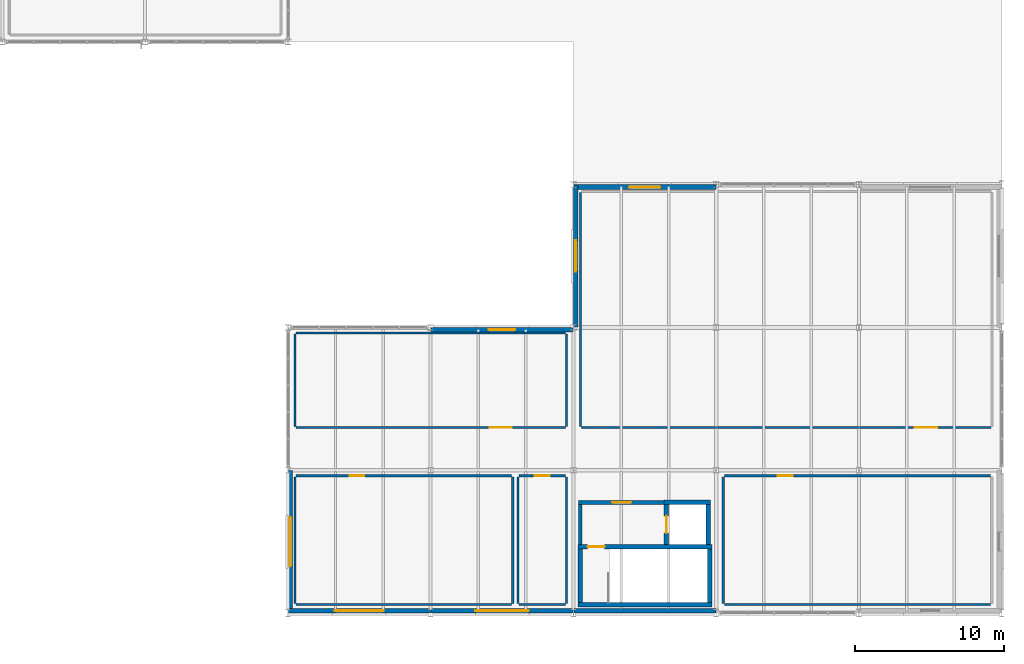
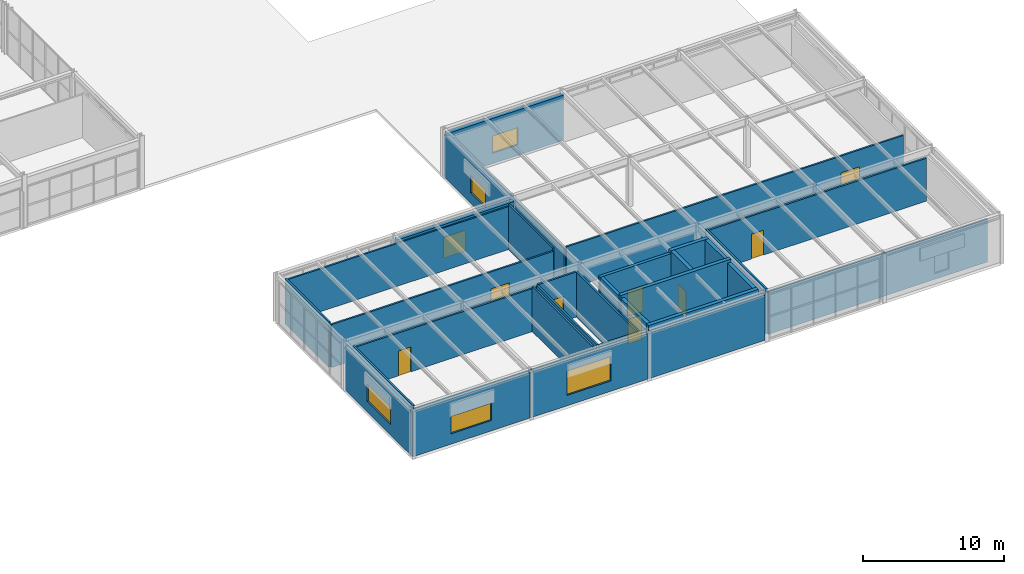
# One storey, part 155 of 170: 33 walls, 8 doors, 6 windows, 14 openings.
"""IFC4 building model written with IfcOpenShell, lengths in metres."""

from ifc_helpers import new_model, si_unit, direction, frame, frame_2d, origin, place, context, subcontext, project, spatial, rectangle, extrude, material, layer, layer_set, type_object, element, fill, save


model = new_model("IFC4")

# Units and contexts
model_context = context("Model", 3, precision=1e-05, world=origin(), true_north=direction((0.0, 1.0)))
body_context = subcontext(model_context, "Body", "Model", "MODEL_VIEW")
ifc_project = project(units=[si_unit("LENGTHUNIT", "METRE"), si_unit("AREAUNIT", "SQUARE_METRE"), si_unit("VOLUMEUNIT", "CUBIC_METRE"), si_unit("PLANEANGLEUNIT", "RADIAN"), si_unit("MASSUNIT", "GRAM", prefix="KILO")], contexts=[model_context])

# Site, building, storey
site_placement = place(None, origin())
site = spatial("IfcSite", under=ifc_project, at=site_placement, CompositionType="ELEMENT")
building_placement = place(site_placement, origin())
building = spatial("IfcBuilding", under=site, at=building_placement, Name="Coralgate Yard Interchange", CompositionType="ELEMENT")
storey_placement = place(building_placement, frame((0.0, 0.0, 6.0)))
storey = spatial("IfcBuildingStorey", under=building, at=storey_placement, Name="L01", CompositionType="ELEMENT", Elevation=6.0)

# Wall
ifc_material_1 = material(Name="Concrete C40/50", Category="concrete")
ifc_layer_1 = layer(ifc_material_1, 0.300048828125)
ifc_layer_set_1 = layer_set([ifc_layer_1], Name="Concrete C40/50")
wall_type_1 = type_object("IfcWallType", Name="WAL-CW300", PredefinedType="SHEAR", material=ifc_layer_set_1)
wall_1_placement = place(storey_placement, frame((153.89990234375, 0.570068359375, 0.0), z_axis=(0.0, 0.0, 1.0), x_axis=(1.0, 0.0, 0.0)))
element("IfcWall", 1, at=wall_1_placement, inside=storey, type_object=wall_type_1, Name="C8 L01 stair south shear wall", PredefinedType="SHEAR", context=body_context, shape_type="SweptSolid", body=[
    extrude(rectangle(XDim=9.0, YDim=0.300048828125, at=frame_2d((4.5, 0.0))), origin(), (0.0, 0.0, 1.0), 4.25),
])

# Wall, opening, door
wall_2_placement = place(storey_placement, frame((162.89990234375, 4.449951171875, 0.0), z_axis=(0.0, 0.0, 1.0), x_axis=(-1.0, 0.0, 0.0)))
wall_2 = element("IfcWall", 2, at=wall_2_placement, inside=storey, type_object=wall_type_1, Name="C8 L01 stair north shear wall", PredefinedType="SHEAR", context=body_context, shape_type="SweptSolid", body=[
    extrude(rectangle(XDim=9.0, YDim=0.300048828125, at=frame_2d((4.5, 0.0))), origin(), (0.0, 0.0, 1.0), 4.5),
])
opening_1_placement = place(wall_2_placement, frame((7.199951171875, 0.0, 0.0)))
opening_1 = element("IfcOpeningElement", 3, at=opening_1_placement, cuts=wall_2, Name="Opening FD-1B", PredefinedType="OPENING", context=body_context, shape_type="SweptSolid", body=[
    extrude(rectangle(XDim=1.14990234375, YDim=2.14990234375, at=frame_2d((0.574951171875, 1.074951171875))), frame((0.0, 0.159912109375, 0.0), z_axis=(0.0, -1.0, 0.0), x_axis=(1.0, 0.0, 0.0)), (0.0, 0.0, 1.0), 0.320068359375),
])
ifc_material_2 = material(Name="Powder-coated steel fire door assembly", Category="steel")
door_type_1 = type_object("IfcDoorType", Name="DOR-FD-1B", OperationType="NOTDEFINED", PredefinedType="DOOR", material=ifc_material_2)
door_1_placement = place(opening_1_placement, frame((1.14990234375, 0.0, 0.0), z_axis=(0.0, 0.0, 1.0), x_axis=(-1.0, 0.0, 0.0)))
door_1 = element("IfcDoor", 4, at=door_1_placement, inside=storey, type_object=door_type_1, Name="C8 L01 stair fire door", OperationType="SINGLE_SWING_LEFT", OverallHeight=2.14990234375, OverallWidth=1.14990234375, PredefinedType="DOOR", context=body_context, shape_type="SweptSolid", body=[
    extrude(rectangle(XDim=1.14990234375, YDim=2.14990234375, at=frame_2d((0.574951171875, 1.074951171875))), frame((0.0, 0.02490234375, 0.0), z_axis=(0.0, -1.0, 0.0), x_axis=(1.0, 0.0, 0.0)), (0.0, 0.0, 1.0), 0.050048828125),
])
fill(opening_1, door_1)

# Walls
for number, where, z_axis, x_axis, name in (
    (5, (154.050048828125, 0.719970703125, 0.0), (0.0, 0.0, 1.0), (0.0, 1.0, 0.0), "C8 L01 stair west shear wall"),
    (6, (162.75, 4.300048828125, 0.0), (0.0, 0.0, 1.0), (0.0, -1.0, 0.0), "C8 L01 stair east shear wall"),
):
    element("IfcWall", number, at=place(storey_placement, frame(where, z_axis=z_axis, x_axis=x_axis)), inside=storey, type_object=wall_type_1, Name=name, PredefinedType="SHEAR", context=body_context, shape_type="SweptSolid", body=[
        extrude(rectangle(XDim=3.580078125, YDim=0.300048828125, at=frame_2d((1.7900390625, 0.0))), origin(), (0.0, 0.0, 1.0), 4.25),
    ])

# Wall, opening, door
wall_3_placement = place(storey_placement, frame((159.85009765625, 7.300048828125, 0.0), z_axis=(0.0, 0.0, 1.0), x_axis=(0.0, -1.0, 0.0)))
wall_3 = element("IfcWall", 7, at=wall_3_placement, inside=storey, type_object=wall_type_1, Name="C8 L01 lift front shear wall", PredefinedType="SHEAR", context=body_context, shape_type="SweptSolid", body=[
    extrude(rectangle(XDim=2.699951171875, YDim=0.300048828125, at=frame_2d((1.35009765625, 0.0))), origin(), (0.0, 0.0, 1.0), 4.5),
])
opening_2_placement = place(wall_3_placement, frame((0.77490234375, 0.0, 0.0)))
opening_2 = element("IfcOpeningElement", 8, at=opening_2_placement, cuts=wall_3, Name="Opening LD-2", PredefinedType="OPENING", context=body_context, shape_type="SweptSolid", body=[
    extrude(rectangle(XDim=1.14990234375, YDim=2.10009765625, at=frame_2d((0.574951171875, 1.050048828125))), frame((0.0, 0.159912109375, 0.0), z_axis=(0.0, -1.0, 0.0), x_axis=(1.0, 0.0, 0.0)), (0.0, 0.0, 1.0), 0.320068359375),
])
ifc_material_3 = material(Name="Brushed stainless steel passenger lift landing door", Category="steel")
door_type_2 = type_object("IfcDoorType", Name="DOR-LD-2", OperationType="DOUBLE_DOOR_SLIDING", PredefinedType="DOOR", material=ifc_material_3)
door_2_placement = place(opening_2_placement, frame((1.14990234375, 0.0, 0.0), z_axis=(0.0, 0.0, 1.0), x_axis=(-1.0, 0.0, 0.0)))
door_2 = element("IfcDoor", 9, at=door_2_placement, inside=storey, type_object=door_type_2, Name="LF-06 L01 sliding lift landing door", OperationType="DOUBLE_DOOR_SLIDING", OverallHeight=2.10009765625, OverallWidth=1.14990234375, PredefinedType="DOOR", context=body_context, shape_type="SweptSolid", body=[
    extrude(rectangle(XDim=1.14990234375, YDim=2.10009765625, at=frame_2d((0.574951171875, 1.050048828125))), frame((0.0, 0.02490234375, 0.0), z_axis=(0.0, -1.0, 0.0), x_axis=(1.0, 0.0, 0.0)), (0.0, 0.0, 1.0), 0.050048828125),
])
fill(opening_2, door_2)

# Walls
wall_4_placement = place(storey_placement, frame((162.64990234375, 4.60009765625, 0.0), z_axis=(0.0, 0.0, 1.0), x_axis=(0.0, 1.0, 0.0)))
element("IfcWall", 10, at=wall_4_placement, inside=storey, type_object=wall_type_1, Name="C8 L01 lift rear shear wall", PredefinedType="SHEAR", context=body_context, shape_type="SweptSolid", body=[
    extrude(rectangle(XDim=2.699951171875, YDim=0.300048828125, at=frame_2d((1.35009765625, 0.0))), origin(), (0.0, 0.0, 1.0), 4.5),
])
wall_5_placement = place(storey_placement, frame((159.699951171875, 7.449951171875, 0.0), z_axis=(0.0, 0.0, 1.0), x_axis=(1.0, 0.0, 0.0)))
element("IfcWall", 11, at=wall_5_placement, inside=storey, type_object=wall_type_1, Name="C8 L01 lift north shear wall", PredefinedType="SHEAR", context=body_context, shape_type="SweptSolid", body=[
    extrude(rectangle(XDim=3.10009765625, YDim=0.300048828125, at=frame_2d((1.550048828125, 0.0))), origin(), (0.0, 0.0, 1.0), 4.5),
])

# Wall, opening, window
ifc_material_4 = material(Name="Precast concrete C40/50", Category="concrete")
ifc_layer_2 = layer(ifc_material_4, 0.320068359375)
ifc_layer_set_2 = layer_set([ifc_layer_2], Name="Precast concrete C40/50")
wall_type_2 = type_object("IfcWallType", Name="WAL-EW-320", PredefinedType="SOLIDWALL", material=ifc_layer_set_2)
wall_6_placement = place(storey_placement, frame((143.97998046875, 0.159912109375, 0.0), z_axis=(0.0, 0.0, 1.0), x_axis=(-1.0, 0.0, 0.0)))
wall_6 = element("IfcWall", 12, at=wall_6_placement, inside=storey, type_object=wall_type_2, Name="L01 exterior coastal wall S 14-0", PredefinedType="SOLIDWALL", context=body_context, shape_type="SweptSolid", body=[
    extrude(rectangle(XDim=9.56005859375, YDim=0.320068359375, at=frame_2d((4.780029296875, 0.0))), origin(), (0.0, 0.0, 1.0), 3.89990234375),
])
opening_3_placement = place(wall_6_placement, frame((3.1298828125, 0.0, 0.89990234375)))
opening_3 = element("IfcOpeningElement", 13, at=opening_3_placement, cuts=wall_6, Name="Opening W-24", PredefinedType="OPENING", context=body_context, shape_type="SweptSolid", body=[
    extrude(rectangle(XDim=3.300048828125, YDim=1.5, at=frame_2d((1.64990234375, 0.75))), frame((0.0, 0.169921875, 0.0), z_axis=(0.0, -1.0, 0.0), x_axis=(1.0, 0.0, 0.0)), (0.0, 0.0, 1.0), 0.340087890625),
])
ifc_material_5 = material(Name="Thermally broken anodised aluminium and solar-control low-E glass", Category="aluminium")
window_type_1 = type_object("IfcWindowType", Name="WIN-W-24", PartitioningType="SINGLE_PANEL", PredefinedType="WINDOW", material=ifc_material_5)
window_1_placement = place(opening_3_placement, origin())
window_1 = element("IfcWindow", 14, at=window_1_placement, inside=storey, type_object=window_type_1, Name="L01 coastal facade window S-14-0", OverallHeight=1.5, OverallWidth=3.300048828125, PartitioningType="SINGLE_PANEL", PredefinedType="WINDOW", context=body_context, shape_type="SweptSolid", body=[
    extrude(rectangle(XDim=3.300048828125, YDim=1.5, at=frame_2d((1.64990234375, 0.75))), frame((0.0, 0.030029296875, 0.0), z_axis=(0.0, -1.0, 0.0), x_axis=(1.0, 0.0, 0.0)), (0.0, 0.0, 1.0), 0.06005859375),
])
fill(opening_3, window_1)

wall_7_placement = place(storey_placement, frame((134.56005859375, 0.02001953125, 0.0), z_axis=(0.0, 0.0, 1.0), x_axis=(0.0, 1.0, 0.0)))
wall_7 = element("IfcWall", 15, at=wall_7_placement, inside=storey, type_object=wall_type_2, Name="L01 exterior coastal wall W 14-0", PredefinedType="SOLIDWALL", context=body_context, shape_type="SweptSolid", body=[
    extrude(rectangle(XDim=9.56005859375, YDim=0.320068359375, at=frame_2d((4.780029296875, 0.0))), origin(), (0.0, 0.0, 1.0), 3.716796875),
])
opening_4_placement = place(wall_7_placement, frame((3.1298828125, 0.0, 0.89990234375)))
opening_4 = element("IfcOpeningElement", 16, at=opening_4_placement, cuts=wall_7, Name="Opening W-24", PredefinedType="OPENING", context=body_context, shape_type="SweptSolid", body=[
    extrude(rectangle(XDim=3.300048828125, YDim=1.5, at=frame_2d((1.64990234375, 0.75))), frame((0.0, 0.169921875, 0.0), z_axis=(0.0, -1.0, 0.0), x_axis=(1.0, 0.0, 0.0)), (0.0, 0.0, 1.0), 0.340087890625),
])
window_2_placement = place(opening_4_placement, origin())
window_2 = element("IfcWindow", 17, at=window_2_placement, inside=storey, type_object=window_type_1, Name="L01 coastal facade window W-14-0", OverallHeight=1.5, OverallWidth=3.300048828125, PartitioningType="SINGLE_PANEL", PredefinedType="WINDOW", context=body_context, shape_type="SweptSolid", body=[
    extrude(rectangle(XDim=3.300048828125, YDim=1.5, at=frame_2d((1.64990234375, 0.75))), frame((0.0, 0.030029296875, 0.0), z_axis=(0.0, -1.0, 0.0), x_axis=(1.0, 0.0, 0.0)), (0.0, 0.0, 1.0), 0.06005859375),
])
fill(opening_4, window_2)

wall_8_placement = place(storey_placement, frame((153.580078125, 0.159912109375, 0.0), z_axis=(0.0, 0.0, 1.0), x_axis=(-1.0, 0.0, 0.0)))
wall_8 = element("IfcWall", 18, at=wall_8_placement, inside=storey, type_object=wall_type_2, Name="L01 exterior coastal wall S 15-0", PredefinedType="SOLIDWALL", context=body_context, shape_type="SweptSolid", body=[
    extrude(rectangle(XDim=9.56005859375, YDim=0.320068359375, at=frame_2d((4.780029296875, 0.0))), origin(), (0.0, 0.0, 1.0), 3.89990234375),
])
opening_5_placement = place(wall_8_placement, frame((2.97998046875, 0.0, 0.89990234375)))
opening_5 = element("IfcOpeningElement", 19, at=opening_5_placement, cuts=wall_8, Name="Opening W-03", PredefinedType="OPENING", context=body_context, shape_type="SweptSolid", body=[
    extrude(rectangle(XDim=3.60009765625, YDim=2.10009765625, at=frame_2d((1.800048828125, 1.050048828125))), frame((0.0, 0.169921875, 0.0), z_axis=(0.0, -1.0, 0.0), x_axis=(1.0, 0.0, 0.0)), (0.0, 0.0, 1.0), 0.340087890625),
])
window_type_2 = type_object("IfcWindowType", Name="WIN-W-03", PartitioningType="SINGLE_PANEL", PredefinedType="WINDOW", material=ifc_material_5)
window_3_placement = place(opening_5_placement, origin())
window_3 = element("IfcWindow", 20, at=window_3_placement, inside=storey, type_object=window_type_2, Name="L01 coastal facade window S-15-0", OverallHeight=2.10009765625, OverallWidth=3.60009765625, PartitioningType="SINGLE_PANEL", PredefinedType="WINDOW", context=body_context, shape_type="SweptSolid", body=[
    extrude(rectangle(XDim=3.60009765625, YDim=2.10009765625, at=frame_2d((1.800048828125, 1.050048828125))), frame((0.0, 0.030029296875, 0.0), z_axis=(0.0, -1.0, 0.0), x_axis=(1.0, 0.0, 0.0)), (0.0, 0.0, 1.0), 0.06005859375),
])
fill(opening_5, window_3)

wall_9_placement = place(storey_placement, frame((144.02001953125, 19.0400390625, 0.0), z_axis=(0.0, 0.0, 1.0), x_axis=(1.0, 0.0, 0.0)))
wall_9 = element("IfcWall", 21, at=wall_9_placement, inside=storey, type_object=wall_type_2, Name="L01 exterior coastal wall N 15-1", PredefinedType="SOLIDWALL", context=body_context, shape_type="SweptSolid", body=[
    extrude(rectangle(XDim=9.56005859375, YDim=0.320068359375, at=frame_2d((4.780029296875, 0.0))), origin(), (0.0, 0.0, 1.0), 3.89990234375),
])
opening_6_placement = place(wall_9_placement, frame((3.8798828125, 0.0, 0.89990234375)))
opening_6 = element("IfcOpeningElement", 22, at=opening_6_placement, cuts=wall_9, Name="Opening W-04", PredefinedType="OPENING", context=body_context, shape_type="SweptSolid", body=[
    extrude(rectangle(XDim=1.800048828125, YDim=1.800048828125, at=frame_2d((0.89990234375, 0.89990234375))), frame((0.0, 0.169921875, 0.0), z_axis=(0.0, -1.0, 0.0), x_axis=(1.0, 0.0, 0.0)), (0.0, 0.0, 1.0), 0.340087890625),
])
window_type_3 = type_object("IfcWindowType", Name="WIN-W-04", PartitioningType="SINGLE_PANEL", PredefinedType="WINDOW", material=ifc_material_5)
window_4_placement = place(opening_6_placement, origin())
window_4 = element("IfcWindow", 23, at=window_4_placement, inside=storey, type_object=window_type_3, Name="L01 coastal facade window N-15-1", OverallHeight=1.800048828125, OverallWidth=1.800048828125, PartitioningType="SINGLE_PANEL", PredefinedType="WINDOW", context=body_context, shape_type="SweptSolid", body=[
    extrude(rectangle(XDim=1.800048828125, YDim=1.800048828125, at=frame_2d((0.89990234375, 0.89990234375))), frame((0.0, 0.030029296875, 0.0), z_axis=(0.0, -1.0, 0.0), x_axis=(1.0, 0.0, 0.0)), (0.0, 0.0, 1.0), 0.06005859375),
])
fill(opening_6, window_4)

# Wall
wall_10_placement = place(storey_placement, frame((163.179931640625, 0.159912109375, 0.0), z_axis=(0.0, 0.0, 1.0), x_axis=(-1.0, 0.0, 0.0)))
element("IfcWall", 24, at=wall_10_placement, inside=storey, type_object=wall_type_2, Name="L01 exterior coastal wall S 16-0", PredefinedType="SOLIDWALL", context=body_context, shape_type="SweptSolid", body=[
    extrude(rectangle(XDim=9.559814453125, YDim=0.320068359375, at=frame_2d((4.77978515625, 0.0))), origin(), (0.0, 0.0, 1.0), 3.89990234375),
])

# Wall, opening, window
wall_11_placement = place(storey_placement, frame((153.760009765625, 19.219970703125, 0.0), z_axis=(0.0, 0.0, 1.0), x_axis=(0.0, 1.0, 0.0)))
wall_11 = element("IfcWall", 25, at=wall_11_placement, inside=storey, type_object=wall_type_2, Name="L01 exterior coastal wall W 16-2", PredefinedType="SOLIDWALL", context=body_context, shape_type="SweptSolid", body=[
    extrude(rectangle(XDim=9.56005859375, YDim=0.320068359375, at=frame_2d((4.780029296875, 0.0))), origin(), (0.0, 0.0, 1.0), 3.716796875),
])
opening_7_placement = place(wall_11_placement, frame((3.72998046875, 0.0, 0.89990234375)))
opening_7 = element("IfcOpeningElement", 26, at=opening_7_placement, cuts=wall_11, Name="Opening W-08", PredefinedType="OPENING", context=body_context, shape_type="SweptSolid", body=[
    extrude(rectangle(XDim=2.10009765625, YDim=1.5, at=frame_2d((1.050048828125, 0.75))), frame((0.0, 0.169921875, 0.0), z_axis=(0.0, -1.0, 0.0), x_axis=(1.0, 0.0, 0.0)), (0.0, 0.0, 1.0), 0.340087890625),
])
window_type_4 = type_object("IfcWindowType", Name="WIN-W-08", PartitioningType="SINGLE_PANEL", PredefinedType="WINDOW", material=ifc_material_5)
window_5_placement = place(opening_7_placement, origin())
window_5 = element("IfcWindow", 27, at=window_5_placement, inside=storey, type_object=window_type_4, Name="L01 coastal facade window W-16-2", OverallHeight=1.5, OverallWidth=2.10009765625, PartitioningType="SINGLE_PANEL", PredefinedType="WINDOW", context=body_context, shape_type="SweptSolid", body=[
    extrude(rectangle(XDim=2.10009765625, YDim=1.5, at=frame_2d((1.050048828125, 0.75))), frame((0.0, 0.030029296875, 0.0), z_axis=(0.0, -1.0, 0.0), x_axis=(1.0, 0.0, 0.0)), (0.0, 0.0, 1.0), 0.06005859375),
])
fill(opening_7, window_5)

wall_12_placement = place(storey_placement, frame((153.6201171875, 28.639892578125, 0.0), z_axis=(0.0, 0.0, 1.0), x_axis=(1.0, 0.0, 0.0)))
wall_12 = element("IfcWall", 28, at=wall_12_placement, inside=storey, type_object=wall_type_2, Name="L01 exterior coastal wall N 16-2", PredefinedType="SOLIDWALL", context=body_context, shape_type="SweptSolid", body=[
    extrude(rectangle(XDim=9.559814453125, YDim=0.320068359375, at=frame_2d((4.77978515625, 0.0))), origin(), (0.0, 0.0, 1.0), 3.89990234375),
])
opening_8_placement = place(wall_12_placement, frame((3.72998046875, 0.0, 0.89990234375)))
opening_8 = element("IfcOpeningElement", 29, at=opening_8_placement, cuts=wall_12, Name="Opening W-08", PredefinedType="OPENING", context=body_context, shape_type="SweptSolid", body=[
    extrude(rectangle(XDim=2.10009765625, YDim=1.5, at=frame_2d((1.050048828125, 0.75))), frame((0.0, 0.169921875, 0.0), z_axis=(0.0, -1.0, 0.0), x_axis=(1.0, 0.0, 0.0)), (0.0, 0.0, 1.0), 0.340087890625),
])
window_6_placement = place(opening_8_placement, origin())
window_6 = element("IfcWindow", 30, at=window_6_placement, inside=storey, type_object=window_type_4, Name="L01 coastal facade window N-16-2", OverallHeight=1.5, OverallWidth=2.10009765625, PartitioningType="SINGLE_PANEL", PredefinedType="WINDOW", context=body_context, shape_type="SweptSolid", body=[
    extrude(rectangle(XDim=2.10009765625, YDim=1.5, at=frame_2d((1.050048828125, 0.75))), frame((0.0, 0.030029296875, 0.0), z_axis=(0.0, -1.0, 0.0), x_axis=(1.0, 0.0, 0.0)), (0.0, 0.0, 1.0), 0.06005859375),
])
fill(opening_8, window_6)

# Wall, opening, door
ifc_material_6 = material(Name="Acoustic twin-stud office partition")
ifc_layer_3 = layer(ifc_material_6, 0.139892578125)
ifc_layer_set_3 = layer_set([ifc_layer_3], Name="Acoustic twin-stud office partition")
wall_type_3 = type_object("IfcWallType", Name="WAL-PW-140", PredefinedType="PARTITIONING", material=ifc_layer_set_3)
wall_13_placement = place(storey_placement, frame((153.06005859375, 12.469970703125, 0.0), z_axis=(0.0, 0.0, 1.0), x_axis=(-1.0, 0.0, 0.0)))
wall_13 = element("IfcWall", 31, at=wall_13_placement, inside=storey, type_object=wall_type_3, Name="Cyclist Two-Tier Locker Hall partition S", PredefinedType="PARTITIONING", context=body_context, shape_type="SweptSolid", body=[
    extrude(rectangle(XDim=18.1201171875, YDim=0.139892578125, at=frame_2d((9.06005859375, 0.0))), origin(), (0.0, 0.0, 1.0), 3.706787109375),
])
opening_9_placement = place(wall_13_placement, frame((3.60009765625, 0.0, 0.0)))
opening_9 = element("IfcOpeningElement", 32, at=opening_9_placement, cuts=wall_13, Name="Opening ID-06", PredefinedType="OPENING", context=body_context, shape_type="SweptSolid", body=[
    extrude(rectangle(XDim=1.5, YDim=2.25, at=frame_2d((0.75, 1.125))), frame((0.0, 0.079833984375, 0.0), z_axis=(0.0, -1.0, 0.0), x_axis=(1.0, 0.0, 0.0)), (0.0, 0.0, 1.0), 0.159912109375),
])
ifc_material_7 = material(Name="Glazed aluminium retail and cafe double door", Category="aluminium")
door_type_3 = type_object("IfcDoorType", Name="DOR-ID-06", OperationType="NOTDEFINED", PredefinedType="DOOR", material=ifc_material_7)
door_3_placement = place(opening_9_placement, frame((1.5, 0.0, 0.0), z_axis=(0.0, 0.0, 1.0), x_axis=(-1.0, 0.0, 0.0)))
door_3 = element("IfcDoor", 33, at=door_3_placement, inside=storey, type_object=door_type_3, Name="Cyclist Two-Tier Locker Hall door", OperationType="DOUBLE_DOOR_SINGLE_SWING", OverallHeight=2.25, OverallWidth=1.5, PredefinedType="DOOR", context=body_context, shape_type="SweptSolid", body=[
    extrude(rectangle(XDim=1.5, YDim=2.25, at=frame_2d((0.75, 1.125))), frame((0.0, 0.02490234375, 0.0), z_axis=(0.0, -1.0, 0.0), x_axis=(1.0, 0.0, 0.0)), (0.0, 0.0, 1.0), 0.050048828125),
])
fill(opening_9, door_3)

# Walls
wall_14_placement = place(storey_placement, frame((134.93994140625, 18.830078125, 0.0), z_axis=(0.0, 0.0, 1.0), x_axis=(1.0, 0.0, 0.0)))
element("IfcWall", 34, at=wall_14_placement, inside=storey, type_object=wall_type_3, Name="Cyclist Two-Tier Locker Hall partition N", PredefinedType="PARTITIONING", context=body_context, shape_type="SweptSolid", body=[
    extrude(rectangle(XDim=18.1201171875, YDim=0.139892578125, at=frame_2d((9.06005859375, 0.0))), origin(), (0.0, 0.0, 1.0), 3.706787109375),
])
for number, where, z_axis, x_axis, name in (
    (35, (134.8701171875, 12.5400390625, 0.0), (0.0, 0.0, 1.0), (0.0, 1.0, 0.0), "Cyclist Two-Tier Locker Hall partition W"),
    (36, (153.1298828125, 18.760009765625, 0.0), (0.0, 0.0, 1.0), (0.0, -1.0, 0.0), "Cyclist Two-Tier Locker Hall partition E"),
):
    element("IfcWall", number, at=place(storey_placement, frame(where, z_axis=z_axis, x_axis=x_axis)), inside=storey, type_object=wall_type_3, Name=name, PredefinedType="PARTITIONING", context=body_context, shape_type="SweptSolid", body=[
        extrude(rectangle(XDim=6.219970703125, YDim=0.139892578125, at=frame_2d((3.10986328125, 0.0))), origin(), (0.0, 0.0, 1.0), 3.889892578125),
    ])

# Wall, opening, door
wall_15_placement = place(storey_placement, frame((181.659912109375, 12.469970703125, 0.0), z_axis=(0.0, 0.0, 1.0), x_axis=(-1.0, 0.0, 0.0)))
wall_15 = element("IfcWall", 37, at=wall_15_placement, inside=storey, type_object=wall_type_3, Name="Active Mobility Club and Route Lounge partition S", PredefinedType="PARTITIONING", context=body_context, shape_type="SweptSolid", body=[
    extrude(rectangle(XDim=27.52001953125, YDim=0.139892578125, at=frame_2d((13.760009765625, 0.0))), origin(), (0.0, 0.0, 1.0), 3.706787109375),
])
opening_10_placement = place(wall_15_placement, frame((3.60009765625, 0.0, 0.0)))
opening_10 = element("IfcOpeningElement", 38, at=opening_10_placement, cuts=wall_15, Name="Opening ID-06", PredefinedType="OPENING", context=body_context, shape_type="SweptSolid", body=[
    extrude(rectangle(XDim=1.5, YDim=2.25, at=frame_2d((0.75, 1.125))), frame((0.0, 0.079833984375, 0.0), z_axis=(0.0, -1.0, 0.0), x_axis=(1.0, 0.0, 0.0)), (0.0, 0.0, 1.0), 0.159912109375),
])
door_4_placement = place(opening_10_placement, origin())
door_4 = element("IfcDoor", 39, at=door_4_placement, inside=storey, type_object=door_type_3, Name="Active Mobility Club and Route Lounge door", OperationType="DOUBLE_DOOR_SINGLE_SWING", OverallHeight=2.25, OverallWidth=1.5, PredefinedType="DOOR", context=body_context, shape_type="SweptSolid", body=[
    extrude(rectangle(XDim=1.5, YDim=2.25, at=frame_2d((0.75, 1.125))), frame((0.0, 0.02490234375, 0.0), z_axis=(0.0, -1.0, 0.0), x_axis=(1.0, 0.0, 0.0)), (0.0, 0.0, 1.0), 0.050048828125),
])
fill(opening_10, door_4)

# Walls
wall_16_placement = place(storey_placement, frame((154.070068359375, 12.5400390625, 0.0), z_axis=(0.0, 0.0, 1.0), x_axis=(0.0, 1.0, 0.0)))
element("IfcWall", 40, at=wall_16_placement, inside=storey, type_object=wall_type_3, Name="Active Mobility Club and Route Lounge partition W", PredefinedType="PARTITIONING", context=body_context, shape_type="SweptSolid", body=[
    extrude(rectangle(XDim=15.719970703125, YDim=0.139892578125, at=frame_2d((7.85986328125, 0.0))), origin(), (0.0, 0.0, 1.0), 3.556396484375),
])
ifc_material_8 = material(Name="Moisture-resistant masonry washroom wall", Category="masonry")
ifc_layer_4 = layer(ifc_material_8, 0.14990234375)
ifc_layer_set_4 = layer_set([ifc_layer_4], Name="Moisture-resistant masonry washroom wall")
wall_type_4 = type_object("IfcWallType", Name="WAL-PW-150", PredefinedType="PLUMBINGWALL", material=ifc_layer_set_4)
wall_17_placement = place(storey_placement, frame((149.449951171875, 0.574951171875, 0.0), z_axis=(0.0, 0.0, 1.0), x_axis=(-1.0, 0.0, 0.0)))
element("IfcWall", 41, at=wall_17_placement, inside=storey, type_object=wall_type_4, Name="Cyclist Changing and Shower Suite A partition S", PredefinedType="PLUMBINGWALL", context=body_context, shape_type="SweptSolid", body=[
    extrude(rectangle(XDim=14.5, YDim=0.14990234375, at=frame_2d((7.25, 0.0))), origin(), (0.0, 0.0, 1.0), 3.706787109375),
])

# Wall, opening, door
wall_18_placement = place(storey_placement, frame((134.949951171875, 9.22509765625, 0.0), z_axis=(0.0, 0.0, 1.0), x_axis=(1.0, 0.0, 0.0)))
wall_18 = element("IfcWall", 42, at=wall_18_placement, inside=storey, type_object=wall_type_4, Name="Cyclist Changing and Shower Suite A partition N", PredefinedType="PLUMBINGWALL", context=body_context, shape_type="SweptSolid", body=[
    extrude(rectangle(XDim=14.5, YDim=0.14990234375, at=frame_2d((7.25, 0.0))), origin(), (0.0, 0.0, 1.0), 3.706787109375),
])
opening_11_placement = place(wall_18_placement, frame((3.60009765625, 0.0, 0.0)))
opening_11 = element("IfcOpeningElement", 43, at=opening_11_placement, cuts=wall_18, Name="Opening ID-02", PredefinedType="OPENING", context=body_context, shape_type="SweptSolid", body=[
    extrude(rectangle(XDim=1.0, YDim=2.14990234375, at=frame_2d((0.5, 1.074951171875))), frame((0.0, 0.0849609375, 0.0), z_axis=(0.0, -1.0, 0.0), x_axis=(1.0, 0.0, 0.0)), (0.0, 0.0, 1.0), 0.169921875),
])
ifc_material_9 = material(Name="Accessible wide-leaf washroom and office door")
door_type_4 = type_object("IfcDoorType", Name="DOR-ID-02", OperationType="NOTDEFINED", PredefinedType="DOOR", material=ifc_material_9)
door_5_placement = place(opening_11_placement, frame((1.0, 0.0, 0.0), z_axis=(0.0, 0.0, 1.0), x_axis=(-1.0, 0.0, 0.0)))
door_5 = element("IfcDoor", 44, at=door_5_placement, inside=storey, type_object=door_type_4, Name="Cyclist Changing and Shower Suite A door", OperationType="SINGLE_SWING_LEFT", OverallHeight=2.14990234375, OverallWidth=1.0, PredefinedType="DOOR", context=body_context, shape_type="SweptSolid", body=[
    extrude(rectangle(XDim=1.0, YDim=2.14990234375, at=frame_2d((0.5, 1.074951171875))), frame((0.0, 0.02490234375, 0.0), z_axis=(0.0, -1.0, 0.0), x_axis=(1.0, 0.0, 0.0)), (0.0, 0.0, 1.0), 0.050048828125),
])
fill(opening_11, door_5)

# Walls
for number, where, z_axis, x_axis, name in (
    (45, (134.875, 0.64990234375, 0.0), (0.0, 0.0, 1.0), (0.0, 1.0, 0.0), "Cyclist Changing and Shower Suite A partition W"),
    (46, (149.52490234375, 9.14990234375, 0.0), (0.0, 0.0, 1.0), (0.0, -1.0, 0.0), "Cyclist Changing and Shower Suite A partition E"),
):
    element("IfcWall", number, at=place(storey_placement, frame(where, z_axis=z_axis, x_axis=x_axis)), inside=storey, type_object=wall_type_4, Name=name, PredefinedType="PLUMBINGWALL", context=body_context, shape_type="SweptSolid", body=[
        extrude(rectangle(XDim=8.5, YDim=0.14990234375, at=frame_2d((4.25, 0.0))), origin(), (0.0, 0.0, 1.0), 3.889892578125),
    ])
wall_19_placement = place(storey_placement, frame((153.050048828125, 0.574951171875, 0.0), z_axis=(0.0, 0.0, 1.0), x_axis=(-1.0, 0.0, 0.0)))
element("IfcWall", 47, at=wall_19_placement, inside=storey, type_object=wall_type_4, Name="Cyclist Accessible WC partition S", PredefinedType="PLUMBINGWALL", context=body_context, shape_type="SweptSolid", body=[
    extrude(rectangle(XDim=3.10009765625, YDim=0.14990234375, at=frame_2d((1.550048828125, 0.0))), origin(), (0.0, 0.0, 1.0), 3.889892578125),
])

# Wall, opening, door
wall_20_placement = place(storey_placement, frame((149.949951171875, 9.22509765625, 0.0), z_axis=(0.0, 0.0, 1.0), x_axis=(1.0, 0.0, 0.0)))
wall_20 = element("IfcWall", 48, at=wall_20_placement, inside=storey, type_object=wall_type_4, Name="Cyclist Accessible WC partition N", PredefinedType="PLUMBINGWALL", context=body_context, shape_type="SweptSolid", body=[
    extrude(rectangle(XDim=3.10009765625, YDim=0.14990234375, at=frame_2d((1.550048828125, 0.0))), origin(), (0.0, 0.0, 1.0), 3.889892578125),
])
opening_12_placement = place(wall_20_placement, frame((1.050048828125, 0.0, 0.0)))
opening_12 = element("IfcOpeningElement", 49, at=opening_12_placement, cuts=wall_20, Name="Opening ID-02", PredefinedType="OPENING", context=body_context, shape_type="SweptSolid", body=[
    extrude(rectangle(XDim=1.0, YDim=2.14990234375, at=frame_2d((0.5, 1.074951171875))), frame((0.0, 0.0849609375, 0.0), z_axis=(0.0, -1.0, 0.0), x_axis=(1.0, 0.0, 0.0)), (0.0, 0.0, 1.0), 0.169921875),
])
door_6_placement = place(opening_12_placement, frame((1.0, 0.0, 0.0), z_axis=(0.0, 0.0, 1.0), x_axis=(-1.0, 0.0, 0.0)))
door_6 = element("IfcDoor", 50, at=door_6_placement, inside=storey, type_object=door_type_4, Name="Cyclist Accessible WC door", OperationType="SINGLE_SWING_RIGHT", OverallHeight=2.14990234375, OverallWidth=1.0, PredefinedType="DOOR", context=body_context, shape_type="SweptSolid", body=[
    extrude(rectangle(XDim=1.0, YDim=2.14990234375, at=frame_2d((0.5, 1.074951171875))), frame((0.0, 0.02490234375, 0.0), z_axis=(0.0, -1.0, 0.0), x_axis=(1.0, 0.0, 0.0)), (0.0, 0.0, 1.0), 0.050048828125),
])
fill(opening_12, door_6)

# Walls
for number, where, z_axis, x_axis, name in (
    (51, (149.875, 0.64990234375, 0.0), (0.0, 0.0, 1.0), (0.0, 1.0, 0.0), "Cyclist Accessible WC partition W"),
    (52, (153.125, 9.14990234375, 0.0), (0.0, 0.0, 1.0), (0.0, -1.0, 0.0), "Cyclist Accessible WC partition E"),
):
    element("IfcWall", number, at=place(storey_placement, frame(where, z_axis=z_axis, x_axis=x_axis)), inside=storey, type_object=wall_type_4, Name=name, PredefinedType="PLUMBINGWALL", context=body_context, shape_type="SweptSolid", body=[
        extrude(rectangle(XDim=8.5, YDim=0.14990234375, at=frame_2d((4.25, 0.0))), origin(), (0.0, 0.0, 1.0), 3.889892578125),
    ])
wall_21_placement = place(storey_placement, frame((181.64990234375, 0.574951171875, 0.0), z_axis=(0.0, 0.0, 1.0), x_axis=(-1.0, 0.0, 0.0)))
element("IfcWall", 53, at=wall_21_placement, inside=storey, type_object=wall_type_4, Name="Cyclist Changing and Shower Suite B partition S", PredefinedType="PLUMBINGWALL", context=body_context, shape_type="SweptSolid", body=[
    extrude(rectangle(XDim=17.89990234375, YDim=0.14990234375, at=frame_2d((8.949951171875, 0.0))), origin(), (0.0, 0.0, 1.0), 3.706787109375),
])

# Wall, opening, door
wall_22_placement = place(storey_placement, frame((163.75, 9.22509765625, 0.0), z_axis=(0.0, 0.0, 1.0), x_axis=(1.0, 0.0, 0.0)))
wall_22 = element("IfcWall", 54, at=wall_22_placement, inside=storey, type_object=wall_type_4, Name="Cyclist Changing and Shower Suite B partition N", PredefinedType="PLUMBINGWALL", context=body_context, shape_type="SweptSolid", body=[
    extrude(rectangle(XDim=17.89990234375, YDim=0.14990234375, at=frame_2d((8.949951171875, 0.0))), origin(), (0.0, 0.0, 1.0), 3.706787109375),
])
opening_13_placement = place(wall_22_placement, frame((3.60009765625, 0.0, 0.0)))
opening_13 = element("IfcOpeningElement", 55, at=opening_13_placement, cuts=wall_22, Name="Opening ID-02", PredefinedType="OPENING", context=body_context, shape_type="SweptSolid", body=[
    extrude(rectangle(XDim=1.0, YDim=2.14990234375, at=frame_2d((0.5, 1.074951171875))), frame((0.0, 0.0849609375, 0.0), z_axis=(0.0, -1.0, 0.0), x_axis=(1.0, 0.0, 0.0)), (0.0, 0.0, 1.0), 0.169921875),
])
door_7_placement = place(opening_13_placement, origin())
door_7 = element("IfcDoor", 56, at=door_7_placement, inside=storey, type_object=door_type_4, Name="Cyclist Changing and Shower Suite B door", OperationType="SINGLE_SWING_LEFT", OverallHeight=2.14990234375, OverallWidth=1.0, PredefinedType="DOOR", context=body_context, shape_type="SweptSolid", body=[
    extrude(rectangle(XDim=1.0, YDim=2.14990234375, at=frame_2d((0.5, 1.074951171875))), frame((0.0, 0.02490234375, 0.0), z_axis=(0.0, -1.0, 0.0), x_axis=(1.0, 0.0, 0.0)), (0.0, 0.0, 1.0), 0.050048828125),
])
fill(opening_13, door_7)

# Wall
wall_23_placement = place(storey_placement, frame((163.675048828125, 0.64990234375, 0.0), z_axis=(0.0, 0.0, 1.0), x_axis=(0.0, 1.0, 0.0)))
element("IfcWall", 57, at=wall_23_placement, inside=storey, type_object=wall_type_4, Name="Cyclist Changing and Shower Suite B partition W", PredefinedType="PLUMBINGWALL", context=body_context, shape_type="SweptSolid", body=[
    extrude(rectangle(XDim=8.5, YDim=0.14990234375, at=frame_2d((4.25, 0.0))), origin(), (0.0, 0.0, 1.0), 3.889892578125),
])

# Wall, opening, door
ifc_layer_5 = layer(ifc_material_1, 0.25)
ifc_layer_set_5 = layer_set([ifc_layer_5], Name="Concrete C40/50")
wall_type_5 = type_object("IfcWallType", Name="WAL-SW250", PredefinedType="SHEAR", material=ifc_layer_set_5)
wall_24_placement = place(storey_placement, frame((159.699951171875, 7.425048828125, 0.0), z_axis=(0.0, 0.0, 1.0), x_axis=(-1.0, 0.0, 0.0)))
wall_24 = element("IfcWall", 58, at=wall_24_placement, inside=storey, type_object=wall_type_5, Name="C8 L01 lobby north fire wall", PredefinedType="SHEAR", context=body_context, shape_type="SweptSolid", body=[
    extrude(rectangle(XDim=5.77490234375, YDim=0.25, at=frame_2d((2.887451171875, 0.0))), origin(), (0.0, 0.0, 1.0), 4.25),
])
opening_14_placement = place(wall_24_placement, frame((2.199951171875, 0.0, 0.0)))
opening_14 = element("IfcOpeningElement", 59, at=opening_14_placement, cuts=wall_24, Name="Opening FD-2B", PredefinedType="OPENING", context=body_context, shape_type="SweptSolid", body=[
    extrude(rectangle(XDim=1.280029296875, YDim=2.199951171875, at=frame_2d((0.64013671875, 1.10009765625))), frame((0.0, 0.135009765625, 0.0), z_axis=(0.0, -1.0, 0.0), x_axis=(1.0, 0.0, 0.0)), (0.0, 0.0, 1.0), 0.27001953125),
])
door_type_5 = type_object("IfcDoorType", Name="DOR-FD-2B", OperationType="NOTDEFINED", PredefinedType="DOOR", material=ifc_material_2)
door_8_placement = place(opening_14_placement, origin())
door_8 = element("IfcDoor", 60, at=door_8_placement, inside=storey, type_object=door_type_5, Name="C8 L01 lobby fire door", OperationType="SINGLE_SWING_RIGHT", OverallHeight=2.199951171875, OverallWidth=1.280029296875, PredefinedType="DOOR", context=body_context, shape_type="SweptSolid", body=[
    extrude(rectangle(XDim=1.280029296875, YDim=2.199951171875, at=frame_2d((0.64013671875, 1.10009765625))), frame((0.0, 0.02490234375, 0.0), z_axis=(0.0, -1.0, 0.0), x_axis=(1.0, 0.0, 0.0)), (0.0, 0.0, 1.0), 0.050048828125),
])
fill(opening_14, door_8)

# Wall
wall_25_placement = place(storey_placement, frame((154.050048828125, 4.60009765625, 0.0), z_axis=(0.0, 0.0, 1.0), x_axis=(0.0, 1.0, 0.0)))
element("IfcWall", 61, at=wall_25_placement, inside=storey, type_object=wall_type_5, Name="C8 L01 lobby west fire wall", PredefinedType="SHEAR", context=body_context, shape_type="SweptSolid", body=[
    extrude(rectangle(XDim=2.699951171875, YDim=0.25, at=frame_2d((1.35009765625, 0.0))), origin(), (0.0, 0.0, 1.0), 4.25),
])

save(model, "model.ifc")
